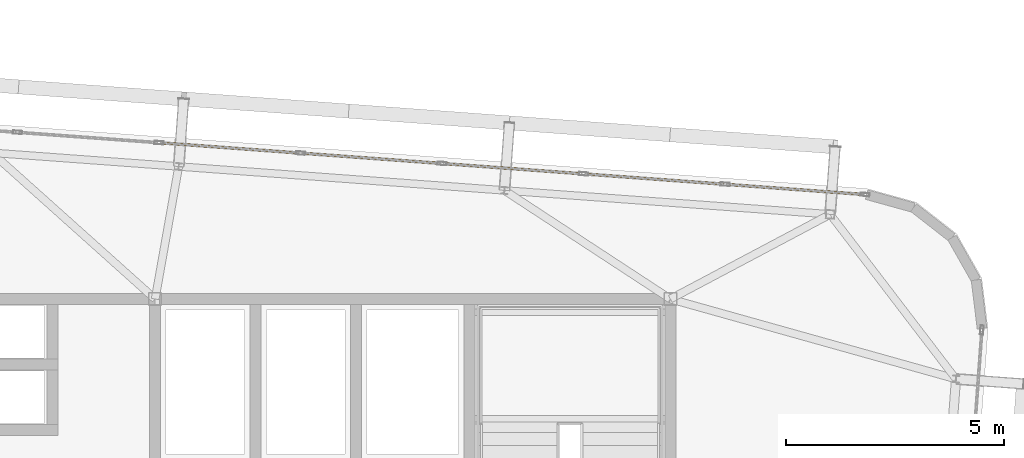
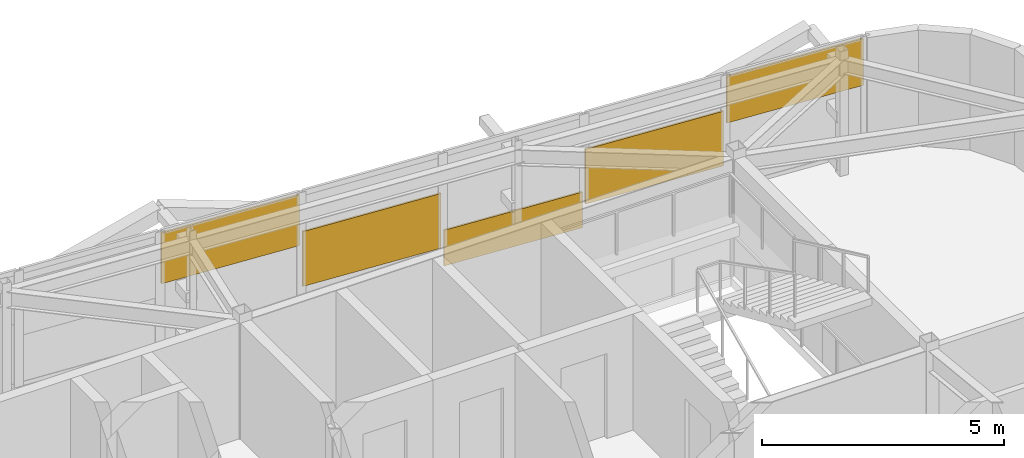
# One storey, part 42 of 42: 5 coverings.
"""IFC4 building model written with IfcOpenShell, lengths in metres."""

from ifc_helpers import new_model, si_unit, direction, frame, origin, origin_2d, place, context, subcontext, project, spatial, rectangle, extrude, source, transform, mapped, material, layer, layer_set, type_object, element, save


model = new_model("IFC4")

# Units and contexts
model_context = context("Model", 3, precision=1e-05, world=origin(), true_north=direction((0.0, 1.0)))
body_context = subcontext(model_context, "Body", "Model", "MODEL_VIEW")
ifc_project = project(units=[si_unit("LENGTHUNIT", "METRE"), si_unit("AREAUNIT", "SQUARE_METRE"), si_unit("VOLUMEUNIT", "CUBIC_METRE"), si_unit("PLANEANGLEUNIT", "RADIAN"), si_unit("MASSUNIT", "GRAM", prefix="KILO")], contexts=[model_context])

# Site, building, storey
site_placement = place(None, origin())
site = spatial("IfcSite", under=ifc_project, at=site_placement, CompositionType="ELEMENT")
building_placement = place(site_placement, origin())
building = spatial("IfcBuilding", under=site, at=building_placement, Name="Taldren Reach Tower", CompositionType="ELEMENT")
storey_placement = place(building_placement, frame((0.0, 0.0, 224.0)))
storey = spatial("IfcBuildingStorey", under=building, at=storey_placement, Name="L68", CompositionType="ELEMENT", Elevation=224.0)

# Coverings
ifc_material = material(Name="Pale Champagne Fluoropolymer Aluminium Spandrel Cladding", Category="aluminium")
ifc_layer = layer(ifc_material, 0.0439453125)
ifc_layer_set = layer_set([ifc_layer], Name="Pale Champagne Fluoropolymer Aluminium Spandrel Cladding")
covering_type = type_object("IfcCoveringType", Name="CV-CLAD-044", PredefinedType="CLADDING", material=ifc_layer_set)
shared_shape_1 = source(origin(), body_context, "Body", "SweptSolid", [
    extrude(rectangle(XDim=3.137451171875, YDim=0.0439453125, at=origin_2d()), origin(), (0.0, 0.0, 1.0), 1.1796875),
])
covering_1_placement = place(storey_placement, frame((53.855224609375, 34.51025390625, 1.6904296875), z_axis=(0.0, 0.0, 1.0), x_axis=(-0.997314476006, 0.073238213716, 0.0)))
element("IfcCovering", 1, at=covering_1_placement, inside=storey, type_object=covering_type, Name="Diagrid closure cladding strip CW-6 panel 1.1 1", PredefinedType="CLADDING", context=body_context, shape_type="MappedRepresentation", body=[
    mapped(shared_shape_1, transform((0.0, 0.0, 0.0), scale=1.0)),
])
shared_shape_2 = source(origin(), body_context, "Body", "SweptSolid", [
    extrude(rectangle(XDim=3.175048828125, YDim=0.0439453125, at=origin_2d()), origin(), (0.0, 0.0, 1.0), 1.383056640625),
])
for number, where, z_axis, x_axis, name in (
    (2, (50.632568359375, 34.746826171875, 0.634765625), (0.0, 0.0, 1.0), (-0.997314476006, 0.073238213716, 0.0), "Diagrid closure cladding strip CW-6 panel 2.1 1"),
    (3, (44.150146484375, 35.222900390625, 0.53369140625), (0.0, 0.0, 1.0), (-0.997314476006, 0.073238213716, 0.0), "Diagrid closure cladding strip CW-6 panel 4.1 1"),
):
    element("IfcCovering", number, at=place(storey_placement, frame(where, z_axis=z_axis, x_axis=x_axis)), inside=storey, type_object=covering_type, Name=name, PredefinedType="CLADDING", context=body_context, shape_type="MappedRepresentation", body=[
        mapped(shared_shape_2, transform((0.0, 0.0, 0.0), scale=1.0)),
    ])
shared_shape_3 = source(origin(), body_context, "Body", "SweptSolid", [
    extrude(rectangle(XDim=3.175048828125, YDim=0.0439453125, at=origin_2d()), origin(), (0.0, 0.0, 1.0), 0.90185546875),
])
covering_2_placement = place(storey_placement, frame((47.391357421875, 34.98486328125, 0.06005859375), z_axis=(0.0, 0.0, 1.0), x_axis=(-0.997314476006, 0.073238213716, 0.0)))
element("IfcCovering", 4, at=covering_2_placement, inside=storey, type_object=covering_type, Name="Diagrid closure cladding strip CW-6 panel 3.1 1", PredefinedType="CLADDING", context=body_context, shape_type="MappedRepresentation", body=[
    mapped(shared_shape_3, transform((0.0, 0.0, 0.0), scale=1.0)),
])
shared_shape_4 = source(origin(), body_context, "Body", "SweptSolid", [
    extrude(rectangle(XDim=3.175048828125, YDim=0.0439453125, at=origin_2d()), origin(), (0.0, 0.0, 1.0), 1.2802734375),
])
covering_3_placement = place(storey_placement, frame((40.908935546875, 35.4609375, 1.589599609375), z_axis=(0.0, 0.0, 1.0), x_axis=(-0.997314476006, 0.073238213716, 0.0)))
element("IfcCovering", 5, at=covering_3_placement, inside=storey, type_object=covering_type, Name="Diagrid closure cladding strip CW-6 panel 5.1 1", PredefinedType="CLADDING", context=body_context, shape_type="MappedRepresentation", body=[
    mapped(shared_shape_4, transform((0.0, 0.0, 0.0), scale=1.0)),
])

save(model, "model.ifc")
